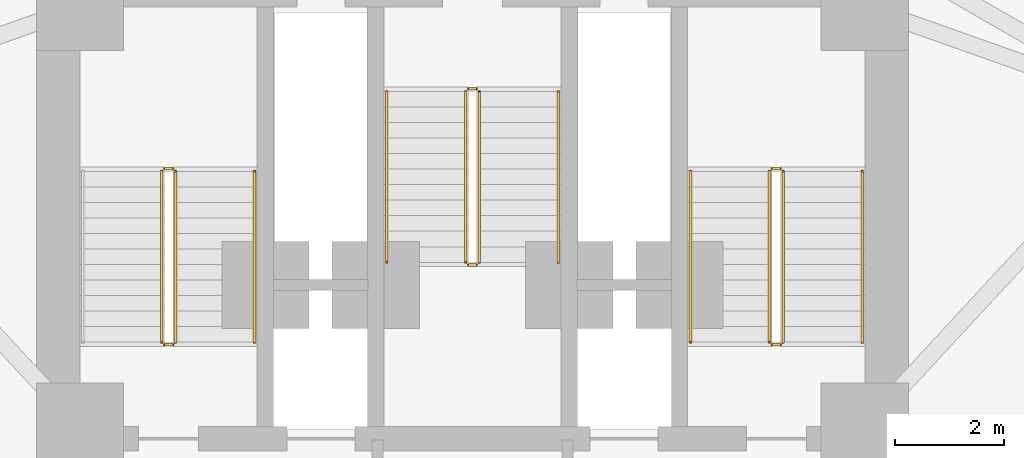
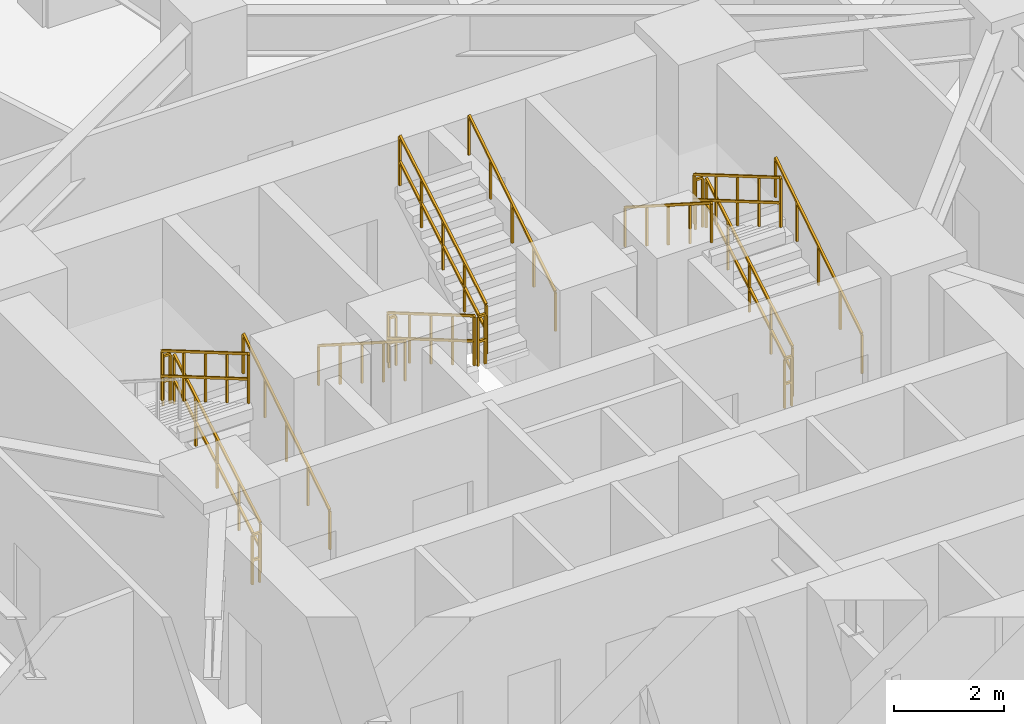
# One storey, part 9 of 10: 17 railings.
"""IFC4 building model written with IfcOpenShell, lengths in metres."""

from ifc_helpers import new_model, si_unit, direction, frame, origin, origin_2d, place, context, subcontext, project, spatial, rectangle, extrude, material, type_object, element, save


model = new_model("IFC4")

# Units and contexts
model_context = context("Model", 3, precision=1e-05, world=origin(), true_north=direction((0.0, 1.0)))
body_context = subcontext(model_context, "Body", "Model", "MODEL_VIEW")
ifc_project = project(units=[si_unit("LENGTHUNIT", "METRE"), si_unit("AREAUNIT", "SQUARE_METRE"), si_unit("VOLUMEUNIT", "CUBIC_METRE"), si_unit("PLANEANGLEUNIT", "RADIAN"), si_unit("MASSUNIT", "GRAM", prefix="KILO")], contexts=[model_context])

# Site, building, storey
site_placement = place(None, origin())
site = spatial("IfcSite", under=ifc_project, at=site_placement, CompositionType="ELEMENT")
building_placement = place(site_placement, origin())
building = spatial("IfcBuilding", under=site, at=building_placement, Name="Apsidion Concourse Tower", CompositionType="ELEMENT")
storey_placement = place(building_placement, frame((0.0, 0.0, 38.39990234375)))
storey = spatial("IfcBuildingStorey", under=building, at=storey_placement, Name="L07", CompositionType="ELEMENT", Elevation=38.39990234375)

# Railings
ifc_material = material(Name="Brushed stainless steel 316", Category="steel")
railing_type_1 = type_object("IfcRailingType", Name="RL-GUARD-1100", PredefinedType="GUARDRAIL", material=ifc_material)
railing_1_placement = place(storey_placement, frame((-5.449951171875, 3.0, 0.166748046875)))
element("IfcRailing", 1, at=railing_1_placement, inside=storey, type_object=railing_type_1, Name="L07 ST1 stair guard 1", PredefinedType="GUARDRAIL", context=body_context, shape_type="SweptSolid", body=[
    extrude(rectangle(XDim=0.048095703125, YDim=0.048095703125, at=origin_2d()), frame((0.0, 0.0, 1.09619140625), z_axis=(0.0, 0.863239559939, 0.504794475164), x_axis=(-1.0, 0.0, 0.0)), (0.0, 0.0, 1.0), 3.631591796875),
    extrude(rectangle(XDim=0.048095703125, YDim=0.048095703125, at=origin_2d()), frame((0.0, 0.0, 0.5361328125), z_axis=(0.0, 0.863239559939, 0.504794475164), x_axis=(-1.0, 0.0, 0.0)), (0.0, 0.0, 1.0), 3.631591796875),
    extrude(rectangle(XDim=0.0419921875, YDim=0.0419921875, at=origin_2d()), origin(), (0.0, 0.0, 1.0), 1.072021484375),
    extrude(rectangle(XDim=0.0419921875, YDim=0.0419921875, at=origin_2d()), frame((0.0, 0.78369140625, 0.458251953125)), (0.0, 0.0, 1.0), 1.072021484375),
    extrude(rectangle(XDim=0.0419921875, YDim=0.0419921875, at=origin_2d()), frame((0.0, 1.5673828125, 0.91650390625)), (0.0, 0.0, 1.0), 1.072021484375),
    extrude(rectangle(XDim=0.0419921875, YDim=0.0419921875, at=origin_2d()), frame((0.0, 2.351318359375, 1.375)), (0.0, 0.0, 1.0), 1.072021484375),
    extrude(rectangle(XDim=0.0419921875, YDim=0.0419921875, at=origin_2d()), frame((0.0, 3.135009765625, 1.833251953125)), (0.0, 0.0, 1.0), 1.072021484375),
])
railing_2_placement = place(storey_placement, frame((-5.5, 6.18505859375, 2.0)))
element("IfcRailing", 2, at=railing_2_placement, inside=storey, type_object=railing_type_1, Name="L07 ST1 stair guard 2", PredefinedType="GUARDRAIL", context=body_context, shape_type="SweptSolid", body=[
    extrude(rectangle(XDim=0.048095703125, YDim=0.048095703125, at=origin_2d()), frame((0.0, 0.0, 1.09619140625), z_axis=(-1.0, 0.0, 0.0), x_axis=(0.0, -1.0, 0.0)), (0.0, 0.0, 1.0), 0.14990234375),
    extrude(rectangle(XDim=0.048095703125, YDim=0.048095703125, at=origin_2d()), frame((0.0, 0.0, 0.5361328125), z_axis=(-1.0, 0.0, 0.0), x_axis=(0.0, -1.0, 0.0)), (0.0, 0.0, 1.0), 0.14990234375),
    extrude(rectangle(XDim=0.0419921875, YDim=0.0419921875, at=origin_2d()), origin(), (0.0, 0.0, 1.0), 1.072021484375),
    extrude(rectangle(XDim=0.0419921875, YDim=0.0419921875, at=origin_2d()), frame((-0.14990234375, 0.0, 0.0)), (0.0, 0.0, 1.0), 1.072021484375),
])
railing_3_placement = place(storey_placement, frame((-5.699951171875, 6.135009765625, 2.166748046875)))
element("IfcRailing", 3, at=railing_3_placement, inside=storey, type_object=railing_type_1, Name="L07 ST1 stair guard 3", PredefinedType="GUARDRAIL", context=body_context, shape_type="SweptSolid", body=[
    extrude(rectangle(XDim=0.048095703125, YDim=0.048095703125, at=origin_2d()), frame((0.0, 0.0, 1.09619140625), z_axis=(0.0, -0.863239559939, 0.504794475164), x_axis=(1.0, 0.0, 0.0)), (0.0, 0.0, 1.0), 3.631591796875),
    extrude(rectangle(XDim=0.048095703125, YDim=0.048095703125, at=origin_2d()), frame((0.0, 0.0, 0.5361328125), z_axis=(0.0, -0.863239559939, 0.504794475164), x_axis=(1.0, 0.0, 0.0)), (0.0, 0.0, 1.0), 3.631591796875),
    extrude(rectangle(XDim=0.0419921875, YDim=0.0419921875, at=origin_2d()), origin(), (0.0, 0.0, 1.0), 1.072021484375),
    extrude(rectangle(XDim=0.0419921875, YDim=0.0419921875, at=origin_2d()), frame((0.0, -0.78369140625, 0.458251953125)), (0.0, 0.0, 1.0), 1.072021484375),
    extrude(rectangle(XDim=0.0419921875, YDim=0.0419921875, at=origin_2d()), frame((0.0, -1.5673828125, 0.91650390625)), (0.0, 0.0, 1.0), 1.072021484375),
    extrude(rectangle(XDim=0.0419921875, YDim=0.0419921875, at=origin_2d()), frame((0.0, -2.351318359375, 1.375)), (0.0, 0.0, 1.0), 1.072021484375),
    extrude(rectangle(XDim=0.0419921875, YDim=0.0419921875, at=origin_2d()), frame((0.0, -3.135009765625, 1.833251953125)), (0.0, 0.0, 1.0), 1.072021484375),
])
railing_4_placement = place(storey_placement, frame((-5.5, 2.949951171875, 0.0)))
element("IfcRailing", 4, at=railing_4_placement, inside=storey, type_object=railing_type_1, Name="L07 ST1 stair guard 4", PredefinedType="GUARDRAIL", context=body_context, shape_type="SweptSolid", body=[
    extrude(rectangle(XDim=0.048095703125, YDim=0.048095703125, at=origin_2d()), frame((0.0, 0.0, 1.09619140625), z_axis=(-1.0, 0.0, 0.0), x_axis=(0.0, -1.0, 0.0)), (0.0, 0.0, 1.0), 0.14990234375),
    extrude(rectangle(XDim=0.048095703125, YDim=0.048095703125, at=origin_2d()), frame((0.0, 0.0, 0.5361328125), z_axis=(-1.0, 0.0, 0.0), x_axis=(0.0, -1.0, 0.0)), (0.0, 0.0, 1.0), 0.14990234375),
    extrude(rectangle(XDim=0.0419921875, YDim=0.0419921875, at=origin_2d()), origin(), (0.0, 0.0, 1.0), 1.072021484375),
    extrude(rectangle(XDim=0.0419921875, YDim=0.0419921875, at=origin_2d()), frame((-0.14990234375, 0.0, 0.0)), (0.0, 0.0, 1.0), 1.072021484375),
])
railing_5_placement = place(storey_placement, frame((5.699951171875, 3.0, 0.166748046875)))
element("IfcRailing", 5, at=railing_5_placement, inside=storey, type_object=railing_type_1, Name="L07 ST2 stair guard 1", PredefinedType="GUARDRAIL", context=body_context, shape_type="SweptSolid", body=[
    extrude(rectangle(XDim=0.048095703125, YDim=0.048095703125, at=origin_2d()), frame((0.0, 0.0, 1.09619140625), z_axis=(0.0, 0.863239559939, 0.504794475164), x_axis=(-1.0, 0.0, 0.0)), (0.0, 0.0, 1.0), 3.631591796875),
    extrude(rectangle(XDim=0.048095703125, YDim=0.048095703125, at=origin_2d()), frame((0.0, 0.0, 0.5361328125), z_axis=(0.0, 0.863239559939, 0.504794475164), x_axis=(-1.0, 0.0, 0.0)), (0.0, 0.0, 1.0), 3.631591796875),
    extrude(rectangle(XDim=0.0419921875, YDim=0.0419921875, at=origin_2d()), origin(), (0.0, 0.0, 1.0), 1.072021484375),
    extrude(rectangle(XDim=0.0419921875, YDim=0.0419921875, at=origin_2d()), frame((0.0, 0.78369140625, 0.458251953125)), (0.0, 0.0, 1.0), 1.072021484375),
    extrude(rectangle(XDim=0.0419921875, YDim=0.0419921875, at=origin_2d()), frame((0.0, 1.5673828125, 0.91650390625)), (0.0, 0.0, 1.0), 1.072021484375),
    extrude(rectangle(XDim=0.0419921875, YDim=0.0419921875, at=origin_2d()), frame((0.0, 2.351318359375, 1.375)), (0.0, 0.0, 1.0), 1.072021484375),
    extrude(rectangle(XDim=0.0419921875, YDim=0.0419921875, at=origin_2d()), frame((0.0, 3.135009765625, 1.833251953125)), (0.0, 0.0, 1.0), 1.072021484375),
])
railing_6_placement = place(storey_placement, frame((5.64990234375, 6.18505859375, 2.0)))
element("IfcRailing", 6, at=railing_6_placement, inside=storey, type_object=railing_type_1, Name="L07 ST2 stair guard 2", PredefinedType="GUARDRAIL", context=body_context, shape_type="SweptSolid", body=[
    extrude(rectangle(XDim=0.048095703125, YDim=0.048095703125, at=origin_2d()), frame((0.0, 0.0, 1.09619140625), z_axis=(-1.0, 0.0, 0.0), x_axis=(0.0, -1.0, 0.0)), (0.0, 0.0, 1.0), 0.14990234375),
    extrude(rectangle(XDim=0.048095703125, YDim=0.048095703125, at=origin_2d()), frame((0.0, 0.0, 0.5361328125), z_axis=(-1.0, 0.0, 0.0), x_axis=(0.0, -1.0, 0.0)), (0.0, 0.0, 1.0), 0.14990234375),
    extrude(rectangle(XDim=0.0419921875, YDim=0.0419921875, at=origin_2d()), origin(), (0.0, 0.0, 1.0), 1.072021484375),
    extrude(rectangle(XDim=0.0419921875, YDim=0.0419921875, at=origin_2d()), frame((-0.14990234375, 0.0, 0.0)), (0.0, 0.0, 1.0), 1.072021484375),
])
railing_7_placement = place(storey_placement, frame((5.449951171875, 6.135009765625, 2.166748046875)))
element("IfcRailing", 7, at=railing_7_placement, inside=storey, type_object=railing_type_1, Name="L07 ST2 stair guard 3", PredefinedType="GUARDRAIL", context=body_context, shape_type="SweptSolid", body=[
    extrude(rectangle(XDim=0.048095703125, YDim=0.048095703125, at=origin_2d()), frame((0.0, 0.0, 1.09619140625), z_axis=(0.0, -0.863239559939, 0.504794475164), x_axis=(1.0, 0.0, 0.0)), (0.0, 0.0, 1.0), 3.631591796875),
    extrude(rectangle(XDim=0.048095703125, YDim=0.048095703125, at=origin_2d()), frame((0.0, 0.0, 0.5361328125), z_axis=(0.0, -0.863239559939, 0.504794475164), x_axis=(1.0, 0.0, 0.0)), (0.0, 0.0, 1.0), 3.631591796875),
    extrude(rectangle(XDim=0.0419921875, YDim=0.0419921875, at=origin_2d()), origin(), (0.0, 0.0, 1.0), 1.072021484375),
    extrude(rectangle(XDim=0.0419921875, YDim=0.0419921875, at=origin_2d()), frame((0.0, -0.78369140625, 0.458251953125)), (0.0, 0.0, 1.0), 1.072021484375),
    extrude(rectangle(XDim=0.0419921875, YDim=0.0419921875, at=origin_2d()), frame((0.0, -1.5673828125, 0.91650390625)), (0.0, 0.0, 1.0), 1.072021484375),
    extrude(rectangle(XDim=0.0419921875, YDim=0.0419921875, at=origin_2d()), frame((0.0, -2.351318359375, 1.375)), (0.0, 0.0, 1.0), 1.072021484375),
    extrude(rectangle(XDim=0.0419921875, YDim=0.0419921875, at=origin_2d()), frame((0.0, -3.135009765625, 1.833251953125)), (0.0, 0.0, 1.0), 1.072021484375),
])
railing_8_placement = place(storey_placement, frame((5.64990234375, 2.949951171875, 0.0)))
element("IfcRailing", 8, at=railing_8_placement, inside=storey, type_object=railing_type_1, Name="L07 ST2 stair guard 4", PredefinedType="GUARDRAIL", context=body_context, shape_type="SweptSolid", body=[
    extrude(rectangle(XDim=0.048095703125, YDim=0.048095703125, at=origin_2d()), frame((0.0, 0.0, 1.09619140625), z_axis=(-1.0, 0.0, 0.0), x_axis=(0.0, -1.0, 0.0)), (0.0, 0.0, 1.0), 0.14990234375),
    extrude(rectangle(XDim=0.048095703125, YDim=0.048095703125, at=origin_2d()), frame((0.0, 0.0, 0.5361328125), z_axis=(-1.0, 0.0, 0.0), x_axis=(0.0, -1.0, 0.0)), (0.0, 0.0, 1.0), 0.14990234375),
    extrude(rectangle(XDim=0.0419921875, YDim=0.0419921875, at=origin_2d()), origin(), (0.0, 0.0, 1.0), 1.072021484375),
    extrude(rectangle(XDim=0.0419921875, YDim=0.0419921875, at=origin_2d()), frame((-0.14990234375, 0.0, 0.0)), (0.0, 0.0, 1.0), 1.072021484375),
])
railing_9_placement = place(storey_placement, frame((-0.125, 7.60009765625, 0.166748046875)))
element("IfcRailing", 9, at=railing_9_placement, inside=storey, type_object=railing_type_1, Name="L07 ST3 stair guard 1", PredefinedType="GUARDRAIL", context=body_context, shape_type="SweptSolid", body=[
    extrude(rectangle(XDim=0.048095703125, YDim=0.048095703125, at=origin_2d()), frame((0.0, 0.0, 1.09619140625), z_axis=(0.0, -0.863239559939, 0.504794475164), x_axis=(1.0, 0.0, 0.0)), (0.0, 0.0, 1.0), 3.631591796875),
    extrude(rectangle(XDim=0.048095703125, YDim=0.048095703125, at=origin_2d()), frame((0.0, 0.0, 0.5361328125), z_axis=(0.0, -0.863239559939, 0.504794475164), x_axis=(1.0, 0.0, 0.0)), (0.0, 0.0, 1.0), 3.631591796875),
    extrude(rectangle(XDim=0.0419921875, YDim=0.0419921875, at=origin_2d()), origin(), (0.0, 0.0, 1.0), 1.072021484375),
    extrude(rectangle(XDim=0.0419921875, YDim=0.0419921875, at=origin_2d()), frame((0.0, -0.78369140625, 0.458251953125)), (0.0, 0.0, 1.0), 1.072021484375),
    extrude(rectangle(XDim=0.0419921875, YDim=0.0419921875, at=origin_2d()), frame((0.0, -1.5673828125, 0.91650390625)), (0.0, 0.0, 1.0), 1.072021484375),
    extrude(rectangle(XDim=0.0419921875, YDim=0.0419921875, at=origin_2d()), frame((0.0, -2.351318359375, 1.375)), (0.0, 0.0, 1.0), 1.072021484375),
    extrude(rectangle(XDim=0.0419921875, YDim=0.0419921875, at=origin_2d()), frame((0.0, -3.135009765625, 1.833251953125)), (0.0, 0.0, 1.0), 1.072021484375),
])
railing_10_placement = place(storey_placement, frame((-0.074951171875, 4.4150390625, 2.0)))
element("IfcRailing", 10, at=railing_10_placement, inside=storey, type_object=railing_type_1, Name="L07 ST3 stair guard 2", PredefinedType="GUARDRAIL", context=body_context, shape_type="SweptSolid", body=[
    extrude(rectangle(XDim=0.048095703125, YDim=0.048095703125, at=origin_2d()), frame((0.0, 0.0, 1.09619140625), z_axis=(1.0, 0.0, 0.0), x_axis=(0.0, 1.0, 0.0)), (0.0, 0.0, 1.0), 0.14990234375),
    extrude(rectangle(XDim=0.048095703125, YDim=0.048095703125, at=origin_2d()), frame((0.0, 0.0, 0.5361328125), z_axis=(1.0, 0.0, 0.0), x_axis=(0.0, 1.0, 0.0)), (0.0, 0.0, 1.0), 0.14990234375),
    extrude(rectangle(XDim=0.0419921875, YDim=0.0419921875, at=origin_2d()), origin(), (0.0, 0.0, 1.0), 1.072021484375),
    extrude(rectangle(XDim=0.0419921875, YDim=0.0419921875, at=origin_2d()), frame((0.14990234375, 0.0, 0.0)), (0.0, 0.0, 1.0), 1.072021484375),
])
railing_11_placement = place(storey_placement, frame((0.125, 4.465087890625, 2.166748046875)))
element("IfcRailing", 11, at=railing_11_placement, inside=storey, type_object=railing_type_1, Name="L07 ST3 stair guard 3", PredefinedType="GUARDRAIL", context=body_context, shape_type="SweptSolid", body=[
    extrude(rectangle(XDim=0.048095703125, YDim=0.048095703125, at=origin_2d()), frame((0.0, 0.0, 1.09619140625), z_axis=(0.0, 0.863239559939, 0.504794475164), x_axis=(-1.0, 0.0, 0.0)), (0.0, 0.0, 1.0), 3.631591796875),
    extrude(rectangle(XDim=0.048095703125, YDim=0.048095703125, at=origin_2d()), frame((0.0, 0.0, 0.5361328125), z_axis=(0.0, 0.863239559939, 0.504794475164), x_axis=(-1.0, 0.0, 0.0)), (0.0, 0.0, 1.0), 3.631591796875),
    extrude(rectangle(XDim=0.0419921875, YDim=0.0419921875, at=origin_2d()), origin(), (0.0, 0.0, 1.0), 1.072021484375),
    extrude(rectangle(XDim=0.0419921875, YDim=0.0419921875, at=origin_2d()), frame((0.0, 0.78369140625, 0.458251953125)), (0.0, 0.0, 1.0), 1.072021484375),
    extrude(rectangle(XDim=0.0419921875, YDim=0.0419921875, at=origin_2d()), frame((0.0, 1.5673828125, 0.91650390625)), (0.0, 0.0, 1.0), 1.072021484375),
    extrude(rectangle(XDim=0.0419921875, YDim=0.0419921875, at=origin_2d()), frame((0.0, 2.351318359375, 1.375)), (0.0, 0.0, 1.0), 1.072021484375),
    extrude(rectangle(XDim=0.0419921875, YDim=0.0419921875, at=origin_2d()), frame((0.0, 3.135009765625, 1.833251953125)), (0.0, 0.0, 1.0), 1.072021484375),
])
railing_12_placement = place(storey_placement, frame((-0.074951171875, 7.64990234375, 0.0)))
element("IfcRailing", 12, at=railing_12_placement, inside=storey, type_object=railing_type_1, Name="L07 ST3 stair guard 4", PredefinedType="GUARDRAIL", context=body_context, shape_type="SweptSolid", body=[
    extrude(rectangle(XDim=0.048095703125, YDim=0.048095703125, at=origin_2d()), frame((0.0, 0.0, 1.09619140625), z_axis=(1.0, 0.0, 0.0), x_axis=(0.0, 1.0, 0.0)), (0.0, 0.0, 1.0), 0.14990234375),
    extrude(rectangle(XDim=0.048095703125, YDim=0.048095703125, at=origin_2d()), frame((0.0, 0.0, 0.5361328125), z_axis=(1.0, 0.0, 0.0), x_axis=(0.0, 1.0, 0.0)), (0.0, 0.0, 1.0), 0.14990234375),
    extrude(rectangle(XDim=0.0419921875, YDim=0.0419921875, at=origin_2d()), origin(), (0.0, 0.0, 1.0), 1.072021484375),
    extrude(rectangle(XDim=0.0419921875, YDim=0.0419921875, at=origin_2d()), frame((0.14990234375, 0.0, 0.0)), (0.0, 0.0, 1.0), 1.072021484375),
])
railing_type_2 = type_object("IfcRailingType", Name="RL-HAND-900", PredefinedType="HANDRAIL", material=ifc_material)
for number, where, name in (
    (13, (-4.0, 3.0, 0.166748046875), "L07 ST1 stair handrail 1"),
    (14, (7.14990234375, 3.0, 0.166748046875), "L07 ST2 stair handrail 1"),
):
    element("IfcRailing", number, at=place(storey_placement, frame(where)), inside=storey, type_object=railing_type_2, Name=name, PredefinedType="HANDRAIL", context=body_context, shape_type="SweptSolid", body=[
        extrude(rectangle(XDim=0.048095703125, YDim=0.048095703125, at=origin_2d()), frame((0.0, 0.0, 0.8759765625), z_axis=(0.0, 0.843052688722, 0.537830980921), x_axis=(-1.0, 0.0, 0.0)), (0.0, 0.0, 1.0), 3.71875),
        extrude(rectangle(XDim=0.0419921875, YDim=0.0419921875, at=origin_2d()), origin(), (0.0, 0.0, 1.0), 0.851806640625),
        extrude(rectangle(XDim=0.0419921875, YDim=0.0419921875, at=origin_2d()), frame((0.0, 0.78369140625, 0.5)), (0.0, 0.0, 1.0), 0.851806640625),
        extrude(rectangle(XDim=0.0419921875, YDim=0.0419921875, at=origin_2d()), frame((0.0, 1.5673828125, 1.0)), (0.0, 0.0, 1.0), 0.851806640625),
        extrude(rectangle(XDim=0.0419921875, YDim=0.0419921875, at=origin_2d()), frame((0.0, 2.351318359375, 1.5)), (0.0, 0.0, 1.0), 0.851806640625),
        extrude(rectangle(XDim=0.0419921875, YDim=0.0419921875, at=origin_2d()), frame((0.0, 3.135009765625, 2.0)), (0.0, 0.0, 1.0), 0.851806640625),
    ])
for number, where, name in (
    (15, (4.0, 6.135009765625, 2.166748046875), "L07 ST2 stair handrail 2"),
    (16, (-1.574951171875, 7.60009765625, 0.166748046875), "L07 ST3 stair handrail 1"),
):
    element("IfcRailing", number, at=place(storey_placement, frame(where)), inside=storey, type_object=railing_type_2, Name=name, PredefinedType="HANDRAIL", context=body_context, shape_type="SweptSolid", body=[
        extrude(rectangle(XDim=0.048095703125, YDim=0.048095703125, at=origin_2d()), frame((0.0, 0.0, 0.8759765625), z_axis=(0.0, -0.843052688722, 0.537830980921), x_axis=(1.0, 0.0, 0.0)), (0.0, 0.0, 1.0), 3.71875),
        extrude(rectangle(XDim=0.0419921875, YDim=0.0419921875, at=origin_2d()), origin(), (0.0, 0.0, 1.0), 0.851806640625),
        extrude(rectangle(XDim=0.0419921875, YDim=0.0419921875, at=origin_2d()), frame((0.0, -0.78369140625, 0.5)), (0.0, 0.0, 1.0), 0.851806640625),
        extrude(rectangle(XDim=0.0419921875, YDim=0.0419921875, at=origin_2d()), frame((0.0, -1.5673828125, 1.0)), (0.0, 0.0, 1.0), 0.851806640625),
        extrude(rectangle(XDim=0.0419921875, YDim=0.0419921875, at=origin_2d()), frame((0.0, -2.351318359375, 1.5)), (0.0, 0.0, 1.0), 0.851806640625),
        extrude(rectangle(XDim=0.0419921875, YDim=0.0419921875, at=origin_2d()), frame((0.0, -3.135009765625, 2.0)), (0.0, 0.0, 1.0), 0.851806640625),
    ])
railing_13_placement = place(storey_placement, frame((1.574951171875, 4.465087890625, 2.166748046875)))
element("IfcRailing", 17, at=railing_13_placement, inside=storey, type_object=railing_type_2, Name="L07 ST3 stair handrail 2", PredefinedType="HANDRAIL", context=body_context, shape_type="SweptSolid", body=[
    extrude(rectangle(XDim=0.048095703125, YDim=0.048095703125, at=origin_2d()), frame((0.0, 0.0, 0.8759765625), z_axis=(0.0, 0.843052688722, 0.537830980921), x_axis=(-1.0, 0.0, 0.0)), (0.0, 0.0, 1.0), 3.71875),
    extrude(rectangle(XDim=0.0419921875, YDim=0.0419921875, at=origin_2d()), origin(), (0.0, 0.0, 1.0), 0.851806640625),
    extrude(rectangle(XDim=0.0419921875, YDim=0.0419921875, at=origin_2d()), frame((0.0, 0.78369140625, 0.5)), (0.0, 0.0, 1.0), 0.851806640625),
    extrude(rectangle(XDim=0.0419921875, YDim=0.0419921875, at=origin_2d()), frame((0.0, 1.5673828125, 1.0)), (0.0, 0.0, 1.0), 0.851806640625),
    extrude(rectangle(XDim=0.0419921875, YDim=0.0419921875, at=origin_2d()), frame((0.0, 2.351318359375, 1.5)), (0.0, 0.0, 1.0), 0.851806640625),
    extrude(rectangle(XDim=0.0419921875, YDim=0.0419921875, at=origin_2d()), frame((0.0, 3.135009765625, 2.0)), (0.0, 0.0, 1.0), 0.851806640625),
])

save(model, "model.ifc")
